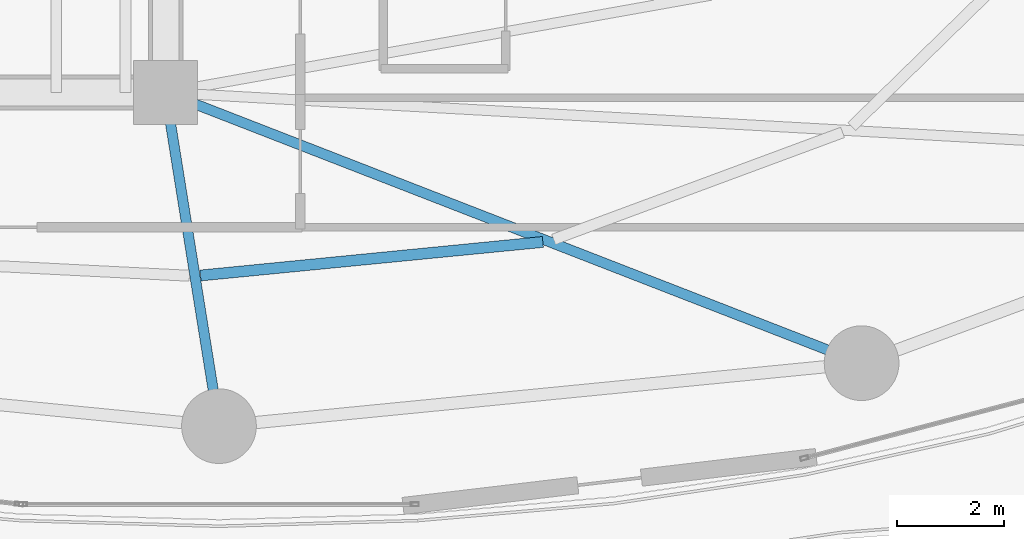
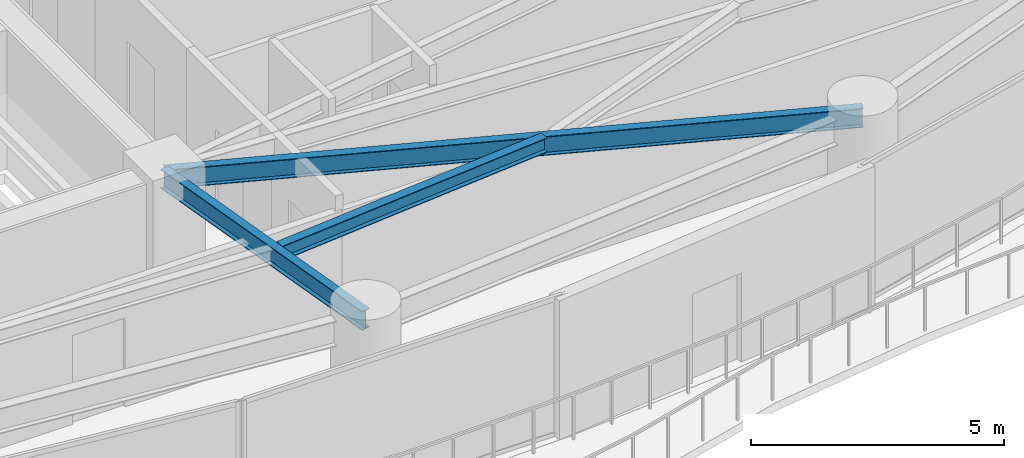
# One storey, part 11 of 31: 3 beams.
"""IFC4 building model written with IfcOpenShell, lengths in metres."""

from ifc_helpers import new_model, si_unit, direction, frame, origin, origin_2d, place, context, subcontext, project, spatial, i_section, extrude, material, material_profile, profile_set, type_object, element, save


model = new_model("IFC4")

# Units and contexts
model_context = context("Model", 3, precision=1e-05, world=origin(), true_north=direction((0.0, 1.0)))
body_context = subcontext(model_context, "Body", "Model", "MODEL_VIEW")
ifc_project = project(units=[si_unit("LENGTHUNIT", "METRE"), si_unit("AREAUNIT", "SQUARE_METRE"), si_unit("VOLUMEUNIT", "CUBIC_METRE"), si_unit("PLANEANGLEUNIT", "RADIAN"), si_unit("MASSUNIT", "GRAM", prefix="KILO")], contexts=[model_context])

# Site, building, storey
site_placement = place(None, origin())
site = spatial("IfcSite", under=ifc_project, at=site_placement, CompositionType="ELEMENT")
building_placement = place(site_placement, origin())
building = spatial("IfcBuilding", under=site, at=building_placement, Name="Kazevale Care Tower and Concert Hall", CompositionType="ELEMENT")
storey_placement = place(building_placement, frame((0.0, 0.0, 81.60009765625)))
storey = spatial("IfcBuildingStorey", under=building, at=storey_placement, Name="L21", CompositionType="ELEMENT", Elevation=81.60009765625)

# Beams
ifc_material = material(Name="Steel ASTM A572 Gr 50", Category="steel")
ifc_material_profile_1 = material_profile(ifc_material, i_section(OverallWidth=0.19091796875, OverallDepth=0.4599609375, WebThickness=0.010009765625, FlangeThickness=0.01611328125, at=origin_2d()), Name="W460x82")
ifc_profile_set_1 = profile_set([ifc_material_profile_1], Name="Steel ASTM A572 Gr 50")
beam_type_1 = type_object("IfcBeamType", Name="Radial Floor Beam W460x82", PredefinedType="BEAM", material=ifc_profile_set_1)
beam_1_placement = place(storey_placement, frame((44.0, 23.60009765625, 3.1298828125), z_axis=(0.157990501107, -0.987440631917, 0.0), x_axis=(0.987440631917, 0.157990501107, 0.0)))
element("IfcBeam", 1, at=beam_1_placement, inside=storey, type_object=beam_type_1, Name="beam:L21:rad:13", PredefinedType="BEAM", context=body_context, shape_type="SweptSolid", body=[
    extrude(i_section(OverallWidth=0.19091796875, OverallDepth=0.4599609375, WebThickness=0.010009765625, FlangeThickness=0.01611328125, at=origin_2d()), origin(), (0.0, 0.0, 1.0), 6.32958984375),
])
beam_2_placement = place(storey_placement, frame((44.0, 23.60009765625, 3.1298828125), z_axis=(0.932030212407, -0.362380577792, 0.0), x_axis=(0.362380577792, 0.932030212407, 0.0)))
element("IfcBeam", 2, at=beam_2_placement, inside=storey, type_object=beam_type_1, Name="beam:L21:rad:14", PredefinedType="BEAM", context=body_context, shape_type="SweptSolid", body=[
    extrude(i_section(OverallWidth=0.19091796875, OverallDepth=0.4599609375, WebThickness=0.010009765625, FlangeThickness=0.01611328125, at=origin_2d()), origin(), (0.0, 0.0, 1.0), 13.990966796875),
])
ifc_material_profile_2 = material_profile(ifc_material, i_section(OverallWidth=0.205078125, OverallDepth=0.35400390625, WebThickness=0.009521484375, FlangeThickness=0.016845703125, at=origin_2d()), Name="W360x79")
ifc_profile_set_2 = profile_set([ifc_material_profile_2], Name="Steel ASTM A572 Gr 50")
beam_type_2 = type_object("IfcBeamType", Name="Secondary Floor Joist W360x79", PredefinedType="JOIST", material=ifc_profile_set_2)
beam_3_placement = place(storey_placement, frame((44.654052734375, 20.173095703125, 3.182861328125), z_axis=(0.995242075791, 0.097433108212, 0.0), x_axis=(-0.097433108212, 0.995242075791, 0.0)))
element("IfcBeam", 3, at=beam_3_placement, inside=storey, type_object=beam_type_2, Name="beam:L21:joist:13", PredefinedType="JOIST", context=body_context, shape_type="SweptSolid", body=[
    extrude(i_section(OverallWidth=0.205078125, OverallDepth=0.35400390625, WebThickness=0.009521484375, FlangeThickness=0.016845703125, at=origin_2d()), origin(), (0.0, 0.0, 1.0), 6.44482421875),
])

save(model, "model.ifc")
